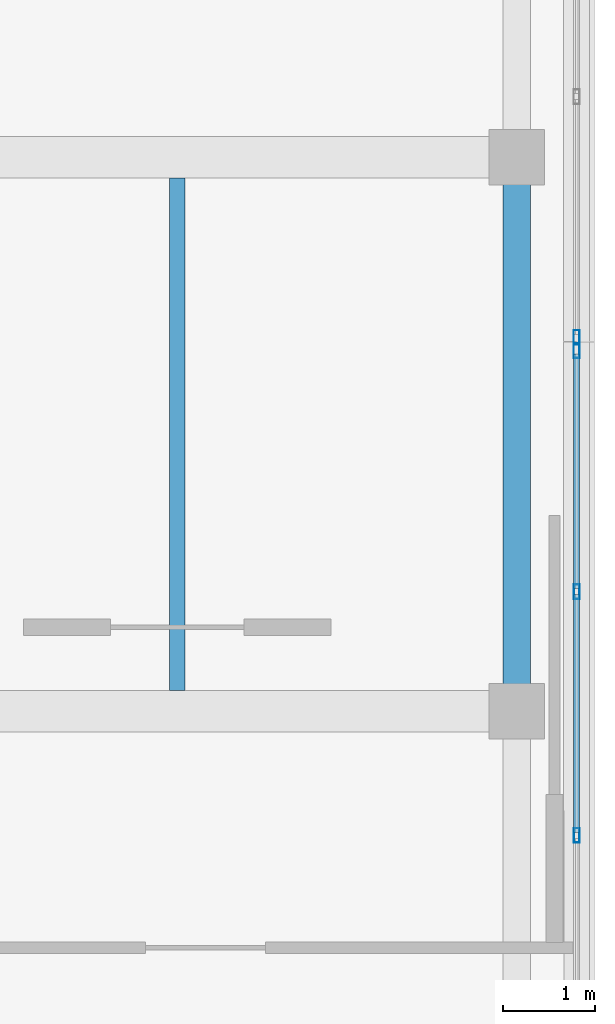
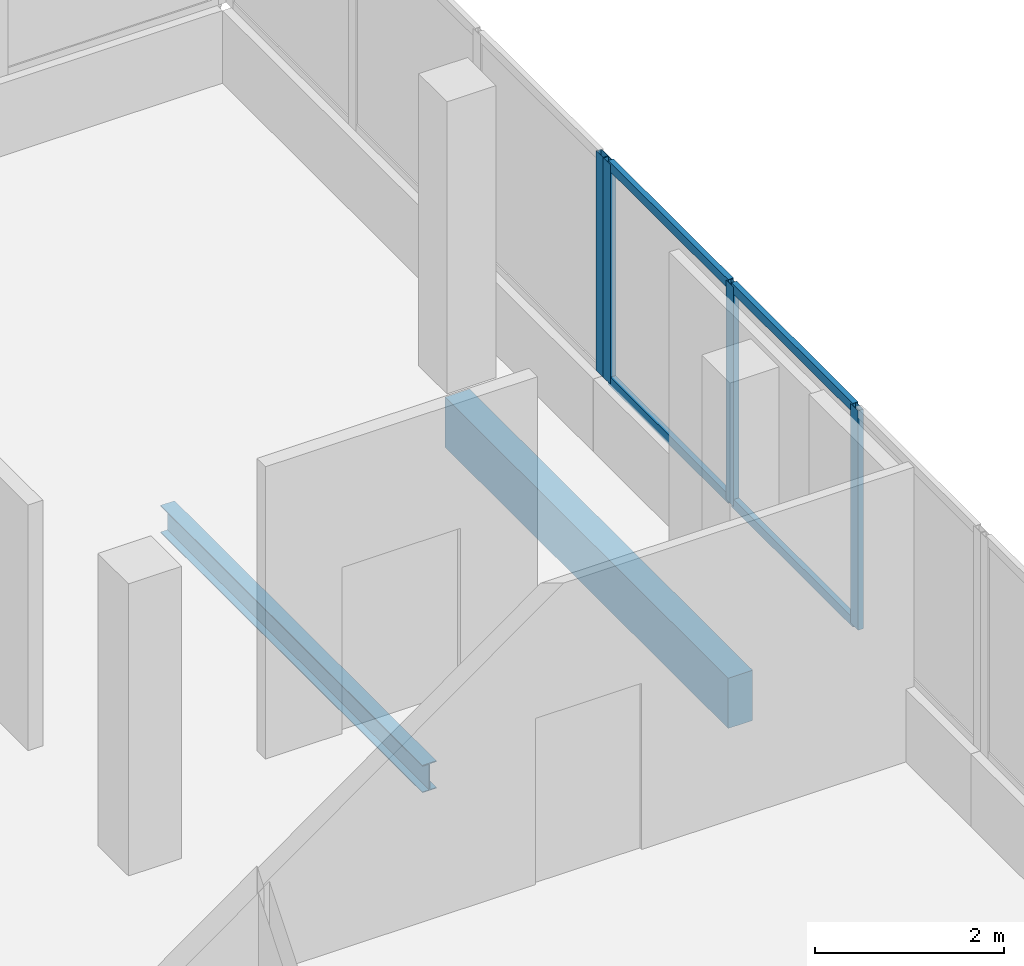
# One storey, part 56 of 76: 8 members, 2 beams, 2 elements without a shape of their own.
"""IFC4 building model written with IfcOpenShell, lengths in metres."""

from ifc_helpers import new_model, si_unit, direction, frame, origin, origin_2d, place, context, subcontext, project, spatial, rectangle, hollow_rectangle, i_section, extrude, material, material_profile, profile_set, type_object, element, aggregate, save


model = new_model("IFC4")

# Units and contexts
model_context = context("Model", 3, precision=1e-05, world=origin(), true_north=direction((0.0, 1.0)))
body_context = subcontext(model_context, "Body", "Model", "MODEL_VIEW")
ifc_project = project(units=[si_unit("LENGTHUNIT", "METRE"), si_unit("AREAUNIT", "SQUARE_METRE"), si_unit("VOLUMEUNIT", "CUBIC_METRE"), si_unit("PLANEANGLEUNIT", "RADIAN"), si_unit("MASSUNIT", "GRAM", prefix="KILO")], contexts=[model_context])

# Site, building, storey
site_placement = place(None, origin())
site = spatial("IfcSite", under=ifc_project, at=site_placement, CompositionType="ELEMENT")
building_placement = place(site_placement, origin())
building = spatial("IfcBuilding", under=site, at=building_placement, Name="Selatvlak General Hospital", CompositionType="ELEMENT")
storey_placement = place(building_placement, frame((0.0, 0.0, 27.300048828125)))
storey = spatial("IfcBuildingStorey", under=building, at=storey_placement, Name="L06", CompositionType="ELEMENT", Elevation=27.300048828125)

# Beams
ifc_material_1 = material(Name="Steel S355", Category="steel")
ifc_material_profile_1 = material_profile(ifc_material_1, i_section(OverallWidth=0.17138671875, OverallDepth=0.35498046875, WebThickness=0.00732421875, FlangeThickness=0.011474609375, at=origin_2d()), Name="UB 356x171x51")
ifc_profile_set_1 = profile_set([ifc_material_profile_1], Name="Steel S355")
beam_type_1 = type_object("IfcBeamType", Name="BM-J05", PredefinedType="JOIST", material=ifc_profile_set_1)
beam_1_placement = place(storey_placement, frame((177.675048828125, 108.22509765625, -0.4521484375), z_axis=(0.0, 1.0, 0.0), x_axis=(-1.0, 0.0, 0.0)))
element("IfcBeam", 1, at=beam_1_placement, inside=storey, type_object=beam_type_1, Name="Beam BMR-L06-2363", PredefinedType="JOIST", context=body_context, shape_type="SweptSolid", body=[
    extrude(i_section(OverallWidth=0.17138671875, OverallDepth=0.35498046875, WebThickness=0.00732421875, FlangeThickness=0.011474609375, at=origin_2d()), origin(), (0.0, 0.0, 1.0), 5.5498046875),
])
ifc_material_2 = material(Name="Concrete C40/50", Category="concrete")
ifc_material_profile_2 = material_profile(ifc_material_2, rectangle(XDim=0.300048828125, YDim=0.64990234375, at=origin_2d()), Name="RC-SP 300x650")
ifc_profile_set_2 = profile_set([ifc_material_profile_2], Name="Concrete C40/50")
beam_type_2 = type_object("IfcBeamType", Name="BM-SP1", PredefinedType="SPANDREL", material=ifc_profile_set_2)
beam_2_placement = place(storey_placement, frame((181.35009765625, 108.0, -0.60009765625), z_axis=(0.0, 1.0, 0.0), x_axis=(-1.0, 0.0, 0.0)))
element("IfcBeam", 2, at=beam_2_placement, inside=storey, type_object=beam_type_2, Name="Beam BMR-L06-2352", PredefinedType="SPANDREL", context=body_context, shape_type="SweptSolid", body=[
    extrude(rectangle(XDim=0.300048828125, YDim=0.64990234375, at=origin_2d()), origin(), (0.0, 0.0, 1.0), 6.0),
])

# Curtain wall, member
ifc_material_3 = material(Name="Solar-control Low-E double glazing", Category="glass")
curtain_wall_type_1 = type_object("IfcCurtainWallType", Name="CW-CW-02", PredefinedType="USERDEFINED", material=ifc_material_3)
curtain_wall_1_placement = place(storey_placement, origin())
curtain_wall_1 = element("IfcCurtainWall", 3, at=curtain_wall_1_placement, inside=storey, type_object=curtain_wall_type_1, Name="Glazed facade curtain wall CW-L06-0617", ObjectType="UNITISED CURTAIN WALL", PredefinedType="USERDEFINED")
ifc_material_4 = material(Name="Dark anodised aluminium mullion", Category="aluminium")
ifc_material_profile_3 = material_profile(ifc_material_4, hollow_rectangle(XDim=0.06494140625, YDim=0.159912109375, WallThickness=0.00390625, at=origin_2d()), Name="AL-MUL 65x160x4")
ifc_profile_set_3 = profile_set([ifc_material_profile_3], Name="Dark anodised aluminium mullion")
member_type_1 = type_object("IfcMemberType", Name="CWM-01", PredefinedType="MULLION", material=ifc_profile_set_3)
member_1_placement = place(storey_placement, frame((181.9990234375, 112.047607421875, 0.93994140625), z_axis=(0.0, 0.0, 1.0), x_axis=(1.0, 0.0, 0.0)))
member_1 = element("IfcMember", 4, at=member_1_placement, type_object=member_type_1, Name="CW-02 mullion 4", PredefinedType="MULLION", context=body_context, shape_type="SweptSolid", body=[
    extrude(hollow_rectangle(XDim=0.06494140625, YDim=0.159912109375, WallThickness=0.00390625, at=origin_2d()), origin(), (0.0, 0.0, 1.0), 2.840087890625),
])
aggregate(curtain_wall_1, [member_1])

# Curtain wall, members
curtain_wall_type_2 = type_object("IfcCurtainWallType", Name="CW-CW-01", PredefinedType="USERDEFINED", material=ifc_material_3)
curtain_wall_2_placement = place(storey_placement, origin())
curtain_wall_2 = element("IfcCurtainWall", 5, at=curtain_wall_2_placement, inside=storey, type_object=curtain_wall_type_2, Name="Glazed facade curtain wall CW-L06-0618", ObjectType="UNITISED CURTAIN WALL", PredefinedType="USERDEFINED")
member_2_placement = place(storey_placement, frame((181.9990234375, 111.902587890625, 0.93994140625), z_axis=(0.0, 0.0, 1.0), x_axis=(0.999999992027, 0.000126278568, 0.0)))
member_2 = element("IfcMember", 6, at=member_2_placement, type_object=member_type_1, Name="CW-01 mullion 1", PredefinedType="MULLION", context=body_context, shape_type="SweptSolid", body=[
    extrude(hollow_rectangle(XDim=0.06494140625, YDim=0.159912109375, WallThickness=0.00390625, at=origin_2d()), origin(), (0.0, 0.0, 1.0), 2.840087890625),
])
member_3_placement = place(storey_placement, frame((181.999267578125, 109.29541015625, 0.93994140625), z_axis=(0.0, 0.0, 1.0), x_axis=(0.999999992027, 0.000126278568, 0.0)))
member_3 = element("IfcMember", 7, at=member_3_placement, type_object=member_type_1, Name="CW-01 mullion 2", PredefinedType="MULLION", context=body_context, shape_type="SweptSolid", body=[
    extrude(hollow_rectangle(XDim=0.06494140625, YDim=0.159912109375, WallThickness=0.00390625, at=origin_2d()), origin(), (0.0, 0.0, 1.0), 2.840087890625),
])
member_4_placement = place(storey_placement, frame((181.999755859375, 106.65576171875, 0.93994140625), z_axis=(0.0, 0.0, 1.0), x_axis=(0.999999992027, 0.000126278568, 0.0)))
member_4 = element("IfcMember", 8, at=member_4_placement, type_object=member_type_1, Name="CW-01 mullion 3", PredefinedType="MULLION", context=body_context, shape_type="SweptSolid", body=[
    extrude(hollow_rectangle(XDim=0.06494140625, YDim=0.159912109375, WallThickness=0.00390625, at=origin_2d()), origin(), (0.0, 0.0, 1.0), 2.840087890625),
])
ifc_material_profile_4 = material_profile(ifc_material_4, hollow_rectangle(XDim=0.06494140625, YDim=0.1201171875, WallThickness=0.00390625, at=origin_2d()), Name="AL-TRN 65x120x4")
ifc_profile_set_4 = profile_set([ifc_material_profile_4], Name="Dark anodised aluminium mullion")
member_type_2 = type_object("IfcMemberType", Name="CWT-01", PredefinedType="USERDEFINED", material=ifc_profile_set_4)
member_5_placement = place(storey_placement, frame((181.9990234375, 111.8701171875, 0.972412109375), z_axis=(9.6033803e-05, -0.999999995389, 0.0), x_axis=(0.999999995389, 9.6033803e-05, 0.0)))
member_5 = element("IfcMember", 9, at=member_5_placement, type_object=member_type_2, Name="CW-01 transom 1.1", ObjectType="TRANSOM", PredefinedType="USERDEFINED", context=body_context, shape_type="SweptSolid", body=[
    extrude(hollow_rectangle(XDim=0.06494140625, YDim=0.1201171875, WallThickness=0.00390625, at=origin_2d()), origin(), (0.0, 0.0, 1.0), 2.542236328125),
])
member_6_placement = place(storey_placement, frame((181.9990234375, 111.8701171875, 3.74755859375), z_axis=(9.6033803e-05, -0.999999995389, 0.0), x_axis=(0.999999995389, 9.6033803e-05, 0.0)))
member_6 = element("IfcMember", 10, at=member_6_placement, type_object=member_type_2, Name="CW-01 transom 1.2", ObjectType="TRANSOM", PredefinedType="USERDEFINED", context=body_context, shape_type="SweptSolid", body=[
    extrude(hollow_rectangle(XDim=0.06494140625, YDim=0.1201171875, WallThickness=0.00390625, at=origin_2d()), origin(), (0.0, 0.0, 1.0), 2.542236328125),
])
member_7_placement = place(storey_placement, frame((181.999267578125, 109.262939453125, 0.972412109375), z_axis=(0.00018964536, -0.999999982017, 0.0), x_axis=(0.999999982017, 0.00018964536, 0.0)))
member_7 = element("IfcMember", 11, at=member_7_placement, type_object=member_type_2, Name="CW-01 transom 2.1", ObjectType="TRANSOM", PredefinedType="USERDEFINED", context=body_context, shape_type="SweptSolid", body=[
    extrude(hollow_rectangle(XDim=0.06494140625, YDim=0.1201171875, WallThickness=0.00390625, at=origin_2d()), origin(), (0.0, 0.0, 1.0), 2.57470703125),
])
member_8_placement = place(storey_placement, frame((181.999267578125, 109.262939453125, 3.74755859375), z_axis=(0.00018964536, -0.999999982017, 0.0), x_axis=(0.999999982017, 0.00018964536, 0.0)))
member_8 = element("IfcMember", 12, at=member_8_placement, type_object=member_type_2, Name="CW-01 transom 2.2", ObjectType="TRANSOM", PredefinedType="USERDEFINED", context=body_context, shape_type="SweptSolid", body=[
    extrude(hollow_rectangle(XDim=0.06494140625, YDim=0.1201171875, WallThickness=0.00390625, at=origin_2d()), origin(), (0.0, 0.0, 1.0), 2.57470703125),
])
aggregate(curtain_wall_2, [member_2, member_3, member_4, member_5, member_6, member_7, member_8])

save(model, "model.ifc")
